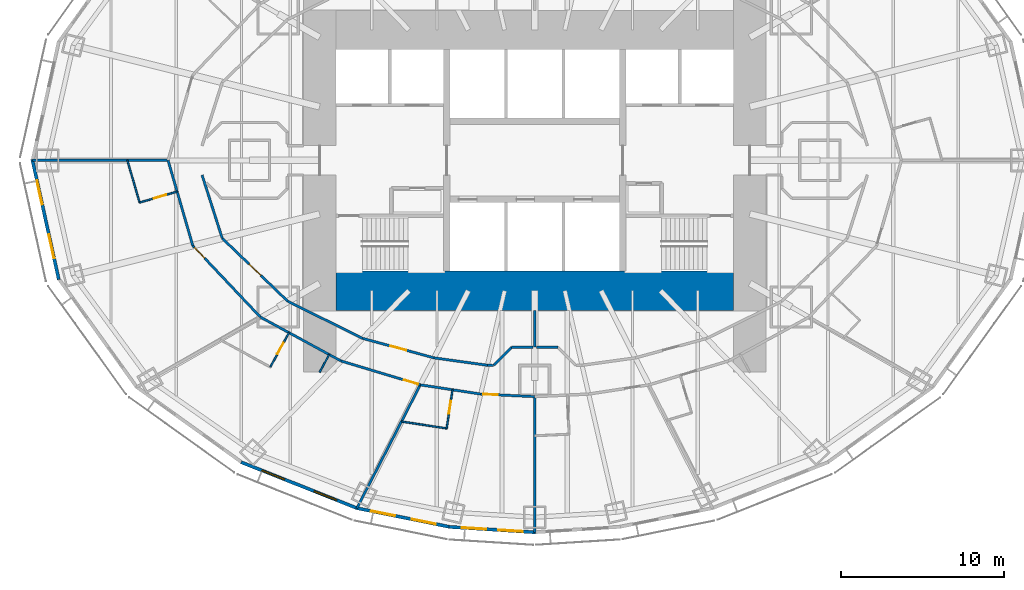
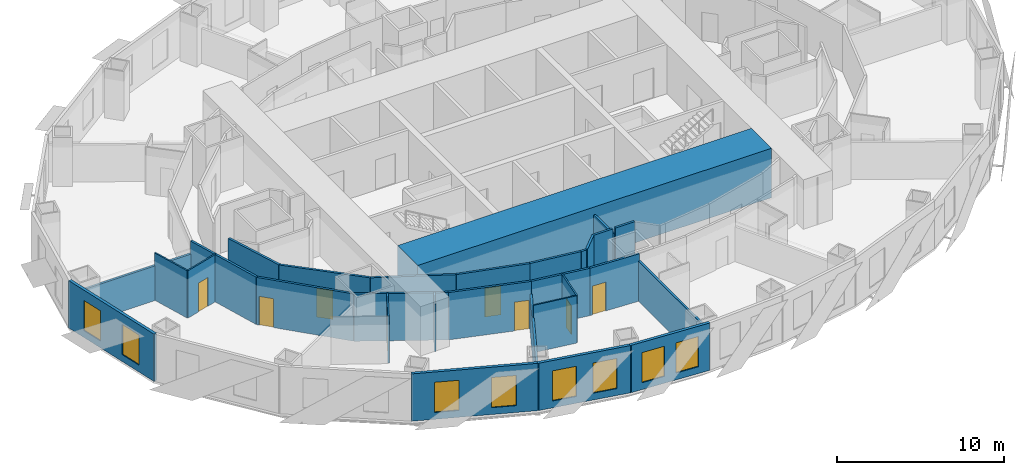
# One storey, part 5 of 15: 30 walls, 8 doors, 8 windows, 16 openings.
"""IFC4 building model written with IfcOpenShell, lengths in metres."""

from ifc_helpers import new_model, si_unit, direction, frame, frame_2d, origin, place, context, subcontext, project, spatial, rectangle, extrude, material, layer, layer_set, type_object, element, fill, save


model = new_model("IFC4")

# Units and contexts
model_context = context("Model", 3, precision=1e-05, world=origin(), true_north=direction((0.0, 1.0)))
body_context = subcontext(model_context, "Body", "Model", "MODEL_VIEW")
ifc_project = project(units=[si_unit("LENGTHUNIT", "METRE"), si_unit("AREAUNIT", "SQUARE_METRE"), si_unit("VOLUMEUNIT", "CUBIC_METRE"), si_unit("PLANEANGLEUNIT", "RADIAN"), si_unit("MASSUNIT", "GRAM", prefix="KILO")], contexts=[model_context])

# Site, building, storey
site_placement = place(None, origin())
site = spatial("IfcSite", under=ifc_project, at=site_placement, CompositionType="ELEMENT")
building_placement = place(site_placement, origin())
building = spatial("IfcBuilding", under=site, at=building_placement, Name="Lantaw Convention Tower", CompositionType="ELEMENT")
storey_placement = place(building_placement, frame((0.0, 0.0, 87.39990234375)))
storey = spatial("IfcBuildingStorey", under=building, at=storey_placement, Name="L20", CompositionType="ELEMENT", Elevation=87.39990234375)

# Walls
ifc_material_1 = material(Name="Gypsum board on steel studs", Category="steel")
ifc_layer_1 = layer(ifc_material_1, 0.14990234375)
ifc_layer_set_1 = layer_set([ifc_layer_1], Name="Back of house wall 150")
wall_type_1 = type_object("IfcWallType", Name="Back of house wall 150", PredefinedType="PARTITIONING", material=ifc_layer_set_1)
wall_1_placement = place(storey_placement, frame((0.0, -9.199951171875, 0.0), z_axis=(0.0, 0.0, 1.0), x_axis=(0.0, -1.0, 0.0)))
element("IfcWall", 1, at=wall_1_placement, inside=storey, type_object=wall_type_1, Name="Back of house wall 150", PredefinedType="PARTITIONING", context=body_context, shape_type="SweptSolid", body=[
    extrude(rectangle(XDim=2.26513671875, YDim=0.14990234375, at=frame_2d((1.132568359375, 0.0))), origin(), (0.0, 0.0, 1.0), 3.043701171875),
])
wall_2_placement = place(storey_placement, frame((0.103271484375, -11.47509765625, 0.0), z_axis=(0.0, 0.0, 1.0), x_axis=(1.0, 0.0, 0.0)))
element("IfcWall", 2, at=wall_2_placement, inside=storey, type_object=wall_type_1, Name="Back of house wall 150", PredefinedType="PARTITIONING", context=body_context, shape_type="SweptSolid", body=[
    extrude(rectangle(XDim=1.3212890625, YDim=0.14990234375, at=frame_2d((0.66064453125, 0.0))), origin(), (0.0, 0.0, 1.0), 3.4501953125),
])

# Wall, opening, door
ifc_material_2 = material(Name="Moisture resistant gypsum board on steel studs", Category="steel")
ifc_layer_2 = layer(ifc_material_2, 0.10009765625)
ifc_layer_set_2 = layer_set([ifc_layer_2], Name="Bathroom wall 100")
wall_type_2 = type_object("IfcWallType", Name="Bathroom wall 100", PredefinedType="PARTITIONING", material=ifc_layer_set_2)
wall_3_placement = place(storey_placement, frame((-21.943359375, -1.9208984375, 0.0), z_axis=(0.0, 0.0, 1.0), x_axis=(-0.960496317326, -0.278292695563, 0.0)))
wall_3 = element("IfcWall", 3, at=wall_3_placement, inside=storey, type_object=wall_type_2, Name="Bathroom wall 100", PredefinedType="PARTITIONING", context=body_context, shape_type="SweptSolid", body=[
    extrude(rectangle(XDim=2.400146484375, YDim=0.10009765625, at=frame_2d((1.2001953125, 0.0))), origin(), (0.0, 0.0, 1.0), 3.4501953125),
])
opening_1_placement = place(wall_3_placement, frame((0.699951171875, 0.0, 0.0)))
opening_1 = element("IfcOpeningElement", 4, at=opening_1_placement, cuts=wall_3, Name="Opening L20.38", PredefinedType="OPENING", context=body_context, shape_type="SweptSolid", body=[
    extrude(rectangle(XDim=0.800048828125, YDim=2.10009765625, at=frame_2d((0.39990234375, 1.050048828125))), frame((0.0, 0.06005859375, 0.0), z_axis=(0.0, -1.0, 0.0), x_axis=(1.0, 0.0, 0.0)), (0.0, 0.0, 1.0), 0.1201171875),
])
ifc_material_3 = material(Name="Timber", Category="wood")
door_type_1 = type_object("IfcDoorType", Name="Bathroom door 800", OperationType="SINGLE_SWING_LEFT", PredefinedType="DOOR", material=ifc_material_3)
door_1_placement = place(opening_1_placement, origin())
door_1 = element("IfcDoor", 5, at=door_1_placement, inside=storey, type_object=door_type_1, Name="Bathroom door", OperationType="SINGLE_SWING_LEFT", OverallHeight=2.10009765625, OverallWidth=0.800048828125, PredefinedType="DOOR", context=body_context, shape_type="SweptSolid", body=[
    extrude(rectangle(XDim=0.800048828125, YDim=2.10009765625, at=frame_2d((0.39990234375, 1.050048828125))), frame((0.0, 0.02490234375, 0.0), z_axis=(0.0, -1.0, 0.0), x_axis=(1.0, 0.0, 0.0)), (0.0, 0.0, 1.0), 0.050048828125),
])
fill(opening_1, door_1)

# Wall
wall_4_placement = place(storey_placement, frame((-24.248779296875, -2.5888671875, 0.0), z_axis=(0.0, 0.0, 1.0), x_axis=(-0.278260412958, 0.960505670249, 0.0)))
element("IfcWall", 6, at=wall_4_placement, inside=storey, type_object=wall_type_2, Name="Bathroom wall 100", PredefinedType="PARTITIONING", context=body_context, shape_type="SweptSolid", body=[
    extrude(rectangle(XDim=2.6953125, YDim=0.10009765625, at=frame_2d((1.34765625, 0.0))), origin(), (0.0, 0.0, 1.0), 3.4501953125),
])

# Wall, opening, door
wall_5_placement = place(storey_placement, frame((-15.078125, -10.57568359375, 0.0), z_axis=(0.0, 0.0, 1.0), x_axis=(-0.477832549678, -0.878450940274, 0.0)))
wall_5 = element("IfcWall", 7, at=wall_5_placement, inside=storey, type_object=wall_type_2, Name="Bathroom wall 100", PredefinedType="PARTITIONING", context=body_context, shape_type="SweptSolid", body=[
    extrude(rectangle(XDim=2.39990234375, YDim=0.10009765625, at=frame_2d((1.199951171875, 0.0))), origin(), (0.0, 0.0, 1.0), 3.4501953125),
])
opening_2_placement = place(wall_5_placement, frame((0.699951171875, 0.0, 0.0)))
opening_2 = element("IfcOpeningElement", 8, at=opening_2_placement, cuts=wall_5, Name="Opening L20.40", PredefinedType="OPENING", context=body_context, shape_type="SweptSolid", body=[
    extrude(rectangle(XDim=0.800048828125, YDim=2.10009765625, at=frame_2d((0.39990234375, 1.050048828125))), frame((0.0, 0.06005859375, 0.0), z_axis=(0.0, -1.0, 0.0), x_axis=(1.0, 0.0, 0.0)), (0.0, 0.0, 1.0), 0.1201171875),
])
door_2_placement = place(opening_2_placement, origin())
door_2 = element("IfcDoor", 9, at=door_2_placement, inside=storey, type_object=door_type_1, Name="Bathroom door", OperationType="SINGLE_SWING_LEFT", OverallHeight=2.10009765625, OverallWidth=0.800048828125, PredefinedType="DOOR", context=body_context, shape_type="SweptSolid", body=[
    extrude(rectangle(XDim=0.800048828125, YDim=2.10009765625, at=frame_2d((0.39990234375, 1.050048828125))), frame((0.0, 0.02490234375, 0.0), z_axis=(0.0, -1.0, 0.0), x_axis=(1.0, 0.0, 0.0)), (0.0, 0.0, 1.0), 0.050048828125),
])
fill(opening_2, door_2)

wall_6_placement = place(storey_placement, frame((-5.042236328125, -14.077880859375, 0.0), z_axis=(0.0, 0.0, 1.0), x_axis=(-0.150856962013, -0.988555601376, 0.0)))
wall_6 = element("IfcWall", 10, at=wall_6_placement, inside=storey, type_object=wall_type_2, Name="Bathroom wall 100", PredefinedType="PARTITIONING", context=body_context, shape_type="SweptSolid", body=[
    extrude(rectangle(XDim=2.400146484375, YDim=0.10009765625, at=frame_2d((1.2001953125, 0.0))), origin(), (0.0, 0.0, 1.0), 3.4501953125),
])
opening_3_placement = place(wall_6_placement, frame((0.699951171875, 0.0, 0.0)))
opening_3 = element("IfcOpeningElement", 11, at=opening_3_placement, cuts=wall_6, Name="Opening L20.42", PredefinedType="OPENING", context=body_context, shape_type="SweptSolid", body=[
    extrude(rectangle(XDim=0.800048828125, YDim=2.10009765625, at=frame_2d((0.39990234375, 1.050048828125))), frame((0.0, 0.06005859375, 0.0), z_axis=(0.0, -1.0, 0.0), x_axis=(1.0, 0.0, 0.0)), (0.0, 0.0, 1.0), 0.1201171875),
])
door_3_placement = place(opening_3_placement, origin())
door_3 = element("IfcDoor", 12, at=door_3_placement, inside=storey, type_object=door_type_1, Name="Bathroom door", OperationType="SINGLE_SWING_LEFT", OverallHeight=2.10009765625, OverallWidth=0.800048828125, PredefinedType="DOOR", context=body_context, shape_type="SweptSolid", body=[
    extrude(rectangle(XDim=0.800048828125, YDim=2.10009765625, at=frame_2d((0.39990234375, 1.050048828125))), frame((0.0, 0.02490234375, 0.0), z_axis=(0.0, -1.0, 0.0), x_axis=(1.0, 0.0, 0.0)), (0.0, 0.0, 1.0), 0.050048828125),
])
fill(opening_3, door_3)

# Walls
wall_7_placement = place(storey_placement, frame((-5.404296875, -16.450439453125, 0.0), z_axis=(0.0, 0.0, 1.0), x_axis=(-0.988568792086, 0.150770498819, 0.0)))
element("IfcWall", 13, at=wall_7_placement, inside=storey, type_object=wall_type_2, Name="Bathroom wall 100", PredefinedType="PARTITIONING", context=body_context, shape_type="SweptSolid", body=[
    extrude(rectangle(XDim=2.794921875, YDim=0.10009765625, at=frame_2d((1.3974609375, 0.0))), origin(), (0.0, 0.0, 1.0), 3.4501953125),
])
ifc_material_4 = material(Name="Concrete C60/75", Category="concrete")
ifc_layer_3 = layer(ifc_material_4, 2.39990234375)
ifc_layer_set_3 = layer_set([ifc_layer_3], Name="Core wall 2400")
wall_type_3 = type_object("IfcWallType", Name="Core wall 2400", PredefinedType="SHEAR", material=ifc_layer_set_3)
wall_8_placement = place(storey_placement, frame((-12.199951171875, -8.0, 0.0), z_axis=(0.0, 0.0, 1.0), x_axis=(1.0, 0.0, 0.0)))
element("IfcWall", 14, at=wall_8_placement, inside=storey, type_object=wall_type_3, Name="Core wall S", PredefinedType="SHEAR", context=body_context, shape_type="SweptSolid", body=[
    extrude(rectangle(XDim=24.39990234375, YDim=2.39990234375, at=frame_2d((12.199951171875, 0.0))), origin(), (0.0, 0.0, 1.0), 3.60009765625),
])
ifc_material_5 = material(Name="Gypsum board on steel studs, fire rated", Category="steel")
ifc_layer_4 = layer(ifc_material_5, 0.14990234375)
ifc_layer_set_4 = layer_set([ifc_layer_4], Name="Corridor wall 150 EI 60")
wall_type_4 = type_object("IfcWallType", Name="Corridor wall 150 EI 60", PredefinedType="PARTITIONING", material=ifc_layer_set_4)
wall_9_placement = place(storey_placement, frame((-22.5, 0.0, 0.0), z_axis=(0.0, 0.0, 1.0), x_axis=(0.278247435376, -0.960509429785, 0.0)))
element("IfcWall", 15, at=wall_9_placement, inside=storey, type_object=wall_type_4, Name="Corridor wall 150", PredefinedType="PARTITIONING", context=body_context, shape_type="SweptSolid", body=[
    extrude(rectangle(XDim=5.447021484375, YDim=0.14990234375, at=frame_2d((2.7236328125, 0.0))), origin(), (0.0, 0.0, 1.0), 3.4501953125),
])

# Wall, opening, door
wall_10_placement = place(storey_placement, frame((-20.984375, -5.23193359375, 0.0), z_axis=(0.0, 0.0, 1.0), x_axis=(0.687062608696, -0.726598218916, 0.0)))
wall_10 = element("IfcWall", 16, at=wall_10_placement, inside=storey, type_object=wall_type_4, Name="Corridor wall 150", PredefinedType="PARTITIONING", context=body_context, shape_type="SweptSolid", body=[
    extrude(rectangle(XDim=6.039306640625, YDim=0.14990234375, at=frame_2d((3.01953125, 0.0))), origin(), (0.0, 0.0, 1.0), 3.4501953125),
])
opening_4_placement = place(wall_10_placement, frame((0.14990234375, 0.0, 0.0)))
opening_4 = element("IfcOpeningElement", 17, at=opening_4_placement, cuts=wall_10, Name="Opening L20.39", PredefinedType="OPENING", context=body_context, shape_type="SweptSolid", body=[
    extrude(rectangle(XDim=0.89990234375, YDim=2.10009765625, at=frame_2d((0.449951171875, 1.050048828125))), frame((0.0, 0.0849609375, 0.0), z_axis=(0.0, -1.0, 0.0), x_axis=(1.0, 0.0, 0.0)), (0.0, 0.0, 1.0), 0.169921875),
])
ifc_material_6 = material(Name="Steel, fire rated", Category="steel")
door_type_2 = type_object("IfcDoorType", Name="Guest room entrance door FD30S", OperationType="SINGLE_SWING_LEFT", PredefinedType="DOOR", material=ifc_material_6)
door_4_placement = place(opening_4_placement, origin())
door_4 = element("IfcDoor", 18, at=door_4_placement, inside=storey, type_object=door_type_2, Name="Junior suite entrance door", OperationType="SINGLE_SWING_LEFT", OverallHeight=2.10009765625, OverallWidth=0.89990234375, PredefinedType="DOOR", context=body_context, shape_type="SweptSolid", body=[
    extrude(rectangle(XDim=0.89990234375, YDim=2.10009765625, at=frame_2d((0.449951171875, 1.050048828125))), frame((0.0, 0.02490234375, 0.0), z_axis=(0.0, -1.0, 0.0), x_axis=(1.0, 0.0, 0.0)), (0.0, 0.0, 1.0), 0.050048828125),
])
fill(opening_4, door_4)

# Wall
wall_11_placement = place(storey_placement, frame((-16.8349609375, -9.6201171875, 0.0), z_axis=(0.0, 0.0, 1.0), x_axis=(0.878450059298, -0.477834169267, 0.0)))
element("IfcWall", 19, at=wall_11_placement, inside=storey, type_object=wall_type_4, Name="Corridor wall 150", PredefinedType="PARTITIONING", context=body_context, shape_type="SweptSolid", body=[
    extrude(rectangle(XDim=5.630859375, YDim=0.14990234375, at=frame_2d((2.8154296875, 0.0))), origin(), (0.0, 0.0, 1.0), 3.4501953125),
])

# Wall, opening, door
wall_12_placement = place(storey_placement, frame((-11.888427734375, -12.310791015625, 0.0), z_axis=(0.0, 0.0, 1.0), x_axis=(0.957564241242, -0.288219922793, 0.0)))
wall_12 = element("IfcWall", 20, at=wall_12_placement, inside=storey, type_object=wall_type_4, Name="Corridor wall 150", PredefinedType="PARTITIONING", context=body_context, shape_type="SweptSolid", body=[
    extrude(rectangle(XDim=5.0849609375, YDim=0.14990234375, at=frame_2d((2.54248046875, 0.0))), origin(), (0.0, 0.0, 1.0), 3.4501953125),
])
opening_5_placement = place(wall_12_placement, frame((4.03466796875, 0.0, 0.0)))
opening_5 = element("IfcOpeningElement", 21, at=opening_5_placement, cuts=wall_12, Name="Opening L20.41", PredefinedType="OPENING", context=body_context, shape_type="SweptSolid", body=[
    extrude(rectangle(XDim=0.89990234375, YDim=2.10009765625, at=frame_2d((0.449951171875, 1.050048828125))), frame((0.0, 0.0849609375, 0.0), z_axis=(0.0, -1.0, 0.0), x_axis=(1.0, 0.0, 0.0)), (0.0, 0.0, 1.0), 0.169921875),
])
door_5_placement = place(opening_5_placement, origin())
door_5 = element("IfcDoor", 22, at=door_5_placement, inside=storey, type_object=door_type_2, Name="Junior suite entrance door", OperationType="SINGLE_SWING_LEFT", OverallHeight=2.10009765625, OverallWidth=0.89990234375, PredefinedType="DOOR", context=body_context, shape_type="SweptSolid", body=[
    extrude(rectangle(XDim=0.89990234375, YDim=2.10009765625, at=frame_2d((0.449951171875, 1.050048828125))), frame((0.0, 0.02490234375, 0.0), z_axis=(0.0, -1.0, 0.0), x_axis=(1.0, 0.0, 0.0)), (0.0, 0.0, 1.0), 0.050048828125),
])
fill(opening_5, door_5)

# Wall
wall_13_placement = place(storey_placement, frame((-7.019287109375, -13.7763671875, 0.0), z_axis=(0.0, 0.0, 1.0), x_axis=(0.988564270062, -0.150800145746, 0.0)))
element("IfcWall", 23, at=wall_13_placement, inside=storey, type_object=wall_type_4, Name="Corridor wall 150", PredefinedType="PARTITIONING", context=body_context, shape_type="SweptSolid", body=[
    extrude(rectangle(XDim=3.751220703125, YDim=0.14990234375, at=frame_2d((1.87548828125, 0.0))), origin(), (0.0, 0.0, 1.0), 3.4501953125),
])

# Wall, opening, door
wall_14_placement = place(storey_placement, frame((-3.31103515625, -14.342041015625, 0.0), z_axis=(0.0, 0.0, 1.0), x_axis=(0.998863968075, -0.047652631422, 0.0)))
wall_14 = element("IfcWall", 24, at=wall_14_placement, inside=storey, type_object=wall_type_4, Name="Corridor wall 150", PredefinedType="PARTITIONING", context=body_context, shape_type="SweptSolid", body=[
    extrude(rectangle(XDim=3.314697265625, YDim=0.14990234375, at=frame_2d((1.6572265625, 0.0))), origin(), (0.0, 0.0, 1.0), 3.4501953125),
])
opening_6_placement = place(wall_14_placement, frame((0.14990234375, 0.0, 0.0)))
opening_6 = element("IfcOpeningElement", 25, at=opening_6_placement, cuts=wall_14, Name="Opening L20.43", PredefinedType="OPENING", context=body_context, shape_type="SweptSolid", body=[
    extrude(rectangle(XDim=0.89990234375, YDim=2.10009765625, at=frame_2d((0.449951171875, 1.050048828125))), frame((0.0, 0.0849609375, 0.0), z_axis=(0.0, -1.0, 0.0), x_axis=(1.0, 0.0, 0.0)), (0.0, 0.0, 1.0), 0.169921875),
])
door_6_placement = place(opening_6_placement, origin())
door_6 = element("IfcDoor", 26, at=door_6_placement, inside=storey, type_object=door_type_2, Name="Junior suite entrance door", OperationType="SINGLE_SWING_LEFT", OverallHeight=2.10009765625, OverallWidth=0.89990234375, PredefinedType="DOOR", context=body_context, shape_type="SweptSolid", body=[
    extrude(rectangle(XDim=0.89990234375, YDim=2.10009765625, at=frame_2d((0.449951171875, 1.050048828125))), frame((0.0, 0.02490234375, 0.0), z_axis=(0.0, -1.0, 0.0), x_axis=(1.0, 0.0, 0.0)), (0.0, 0.0, 1.0), 0.050048828125),
])
fill(opening_6, door_6)

# Wall
wall_15_placement = place(storey_placement, frame((-20.413330078125, -0.89990234375, 0.0), z_axis=(0.0, 0.0, 1.0), x_axis=(0.303505448228, -0.952829702988, 0.0)))
element("IfcWall", 27, at=wall_15_placement, inside=storey, type_object=wall_type_4, Name="Corridor wall 150", PredefinedType="PARTITIONING", context=body_context, shape_type="SweptSolid", body=[
    extrude(rectangle(XDim=4.073486328125, YDim=0.14990234375, at=frame_2d((2.03662109375, 0.0))), origin(), (0.0, 0.0, 1.0), 3.4501953125),
])

# Wall, opening, door
wall_16_placement = place(storey_placement, frame((-19.177001953125, -4.78125, 0.0), z_axis=(0.0, 0.0, 1.0), x_axis=(0.720837261072, -0.693104352209, 0.0)))
wall_16 = element("IfcWall", 28, at=wall_16_placement, inside=storey, type_object=wall_type_4, Name="Corridor wall 150", PredefinedType="PARTITIONING", context=body_context, shape_type="SweptSolid", body=[
    extrude(rectangle(XDim=5.590087890625, YDim=0.14990234375, at=frame_2d((2.794921875, 0.0))), origin(), (0.0, 0.0, 1.0), 3.4501953125),
])
opening_7_placement = place(wall_16_placement, frame((2.294921875, 0.0, 0.0)))
opening_7 = element("IfcOpeningElement", 29, at=opening_7_placement, cuts=wall_16, Name="Opening L20.23", PredefinedType="OPENING", context=body_context, shape_type="SweptSolid", body=[
    extrude(rectangle(XDim=1.0, YDim=2.10009765625, at=frame_2d((0.5, 1.050048828125))), frame((0.0, 0.0849609375, 0.0), z_axis=(0.0, -1.0, 0.0), x_axis=(1.0, 0.0, 0.0)), (0.0, 0.0, 1.0), 0.169921875),
])
door_type_3 = type_object("IfcDoorType", Name="Service door 1000 FD30", OperationType="SINGLE_SWING_LEFT", PredefinedType="DOOR", material=ifc_material_6)
door_7_placement = place(opening_7_placement, origin())
door_7 = element("IfcDoor", 30, at=door_7_placement, inside=storey, type_object=door_type_3, Name="Staff room door", OperationType="SINGLE_SWING_LEFT", OverallHeight=2.10009765625, OverallWidth=1.0, PredefinedType="DOOR", context=body_context, shape_type="SweptSolid", body=[
    extrude(rectangle(XDim=1.0, YDim=2.10009765625, at=frame_2d((0.5, 1.050048828125))), frame((0.0, 0.02490234375, 0.0), z_axis=(0.0, -1.0, 0.0), x_axis=(1.0, 0.0, 0.0)), (0.0, 0.0, 1.0), 0.050048828125),
])
fill(opening_7, door_7)

# Wall
wall_17_placement = place(storey_placement, frame((-15.1474609375, -8.65576171875, 0.0), z_axis=(0.0, 0.0, 1.0), x_axis=(0.89656943448, -0.442903205177, 0.0)))
element("IfcWall", 31, at=wall_17_placement, inside=storey, type_object=wall_type_4, Name="Corridor wall 150", PredefinedType="PARTITIONING", context=body_context, shape_type="SweptSolid", body=[
    extrude(rectangle(XDim=5.12646484375, YDim=0.14990234375, at=frame_2d((2.563232421875, 0.0))), origin(), (0.0, 0.0, 1.0), 3.4501953125),
])

# Wall, opening, door
wall_18_placement = place(storey_placement, frame((-10.55126953125, -10.92626953125, 0.0), z_axis=(0.0, 0.0, 1.0), x_axis=(0.964644466646, -0.263554648923, 0.0)))
wall_18 = element("IfcWall", 32, at=wall_18_placement, inside=storey, type_object=wall_type_4, Name="Corridor wall 150", PredefinedType="PARTITIONING", context=body_context, shape_type="SweptSolid", body=[
    extrude(rectangle(XDim=4.535400390625, YDim=0.14990234375, at=frame_2d((2.267578125, 0.0))), origin(), (0.0, 0.0, 1.0), 3.4501953125),
])
opening_8_placement = place(wall_18_placement, frame((1.767578125, 0.0, 0.0)))
opening_8 = element("IfcOpeningElement", 33, at=opening_8_placement, cuts=wall_18, Name="Opening L20.22", PredefinedType="OPENING", context=body_context, shape_type="SweptSolid", body=[
    extrude(rectangle(XDim=1.0, YDim=2.10009765625, at=frame_2d((0.5, 1.050048828125))), frame((0.0, 0.0849609375, 0.0), z_axis=(0.0, -1.0, 0.0), x_axis=(1.0, 0.0, 0.0)), (0.0, 0.0, 1.0), 0.169921875),
])
door_8_placement = place(opening_8_placement, origin())
door_8 = element("IfcDoor", 34, at=door_8_placement, inside=storey, type_object=door_type_3, Name="Staff room door", OperationType="SINGLE_SWING_LEFT", OverallHeight=2.10009765625, OverallWidth=1.0, PredefinedType="DOOR", context=body_context, shape_type="SweptSolid", body=[
    extrude(rectangle(XDim=1.0, YDim=2.10009765625, at=frame_2d((0.5, 1.050048828125))), frame((0.0, 0.02490234375, 0.0), z_axis=(0.0, -1.0, 0.0), x_axis=(1.0, 0.0, 0.0)), (0.0, 0.0, 1.0), 0.050048828125),
])
fill(opening_8, door_8)

# Walls
wall_19_placement = place(storey_placement, frame((-6.17626953125, -12.12158203125, 0.0), z_axis=(0.0, 0.0, 1.0), x_axis=(0.990563451353, -0.137054911782, 0.0)))
element("IfcWall", 35, at=wall_19_placement, inside=storey, type_object=wall_type_4, Name="Corridor wall 150", PredefinedType="PARTITIONING", context=body_context, shape_type="SweptSolid", body=[
    extrude(rectangle(XDim=3.304443359375, YDim=0.14990234375, at=frame_2d((1.65234375, 0.0))), origin(), (0.0, 0.0, 1.0), 3.4501953125),
])
wall_20_placement = place(storey_placement, frame((-2.903076171875, -12.574462890625, 0.0), z_axis=(0.0, 0.0, 1.0), x_axis=(0.999061181733, -0.04332153223, 0.0)))
element("IfcWall", 36, at=wall_20_placement, inside=storey, type_object=wall_type_4, Name="Corridor wall 150", PredefinedType="PARTITIONING", context=body_context, shape_type="SweptSolid", body=[
    extrude(rectangle(XDim=0.3662109375, YDim=0.14990234375, at=frame_2d((0.18310546875, 0.0))), origin(), (0.0, 0.0, 1.0), 3.4501953125),
])
wall_21_placement = place(storey_placement, frame((-2.50634765625, -12.57373046875, 0.0), z_axis=(0.0, 0.0, 1.0), x_axis=(0.701622806479, 0.712548550927, 0.0)))
element("IfcWall", 37, at=wall_21_placement, inside=storey, type_object=wall_type_4, Name="Corridor wall 150", PredefinedType="PARTITIONING", context=body_context, shape_type="SweptSolid", body=[
    extrude(rectangle(XDim=1.541748046875, YDim=0.14990234375, at=frame_2d((0.77099609375, 0.0))), origin(), (0.0, 0.0, 1.0), 3.4501953125),
])
wall_22_placement = place(storey_placement, frame((-1.424560546875, -11.47509765625, 0.0), z_axis=(0.0, 0.0, 1.0), x_axis=(1.0, 0.0, 0.0)))
element("IfcWall", 38, at=wall_22_placement, inside=storey, type_object=wall_type_4, Name="Corridor wall 150", PredefinedType="PARTITIONING", context=body_context, shape_type="SweptSolid", body=[
    extrude(rectangle(XDim=1.3212890625, YDim=0.14990234375, at=frame_2d((0.66064453125, 0.0))), origin(), (0.0, 0.0, 1.0), 3.4501953125),
])

# Wall, openings, windows
ifc_material_7 = material(Name="Insulated aluminium panel on steel frame", Category="steel")
ifc_layer_5 = layer(ifc_material_7, 0.199951171875)
ifc_layer_set_5 = layer_set([ifc_layer_5], Name="External wall 200")
wall_type_5 = type_object("IfcWallType", Name="External wall 200", PredefinedType="SOLIDWALL", material=ifc_layer_set_5)
wall_23_placement = place(storey_placement, frame((-30.83544921875, 0.06689453125, 0.0), z_axis=(0.0, 0.0, 1.0), x_axis=(0.215238065514, -0.976561608478, 0.0)))
wall_23 = element("IfcWall", 39, at=wall_23_placement, inside=storey, type_object=wall_type_5, Name="Facade panel wall", PredefinedType="SOLIDWALL", context=body_context, shape_type="SweptSolid", body=[
    extrude(rectangle(XDim=7.562255859375, YDim=0.199951171875, at=frame_2d((3.78125, 0.0))), origin(), (0.0, 0.0, 1.0), 3.4501953125),
])
opening_9_placement = place(wall_23_placement, frame((1.340576171875, 0.0, 0.5)))
opening_9 = element("IfcOpeningElement", 40, at=opening_9_placement, cuts=wall_23, Name="Opening W2", PredefinedType="OPENING", context=body_context, shape_type="SweptSolid", body=[
    extrude(rectangle(XDim=1.5, YDim=2.199951171875, at=frame_2d((0.75, 1.10009765625))), frame((0.0, 0.10986328125, 0.0), z_axis=(0.0, -1.0, 0.0), x_axis=(1.0, 0.0, 0.0)), (0.0, 0.0, 1.0), 0.219970703125),
])
opening_10_placement = place(wall_23_placement, frame((4.7216796875, 0.0, 0.5)))
opening_10 = element("IfcOpeningElement", 41, at=opening_10_placement, cuts=wall_23, Name="Opening W2", PredefinedType="OPENING", context=body_context, shape_type="SweptSolid", body=[
    extrude(rectangle(XDim=1.5, YDim=2.199951171875, at=frame_2d((0.75, 1.10009765625))), frame((0.0, 0.10986328125, 0.0), z_axis=(0.0, -1.0, 0.0), x_axis=(1.0, 0.0, 0.0)), (0.0, 0.0, 1.0), 0.219970703125),
])
ifc_material_8 = material(Name="Aluminium frame, clear insulating glass", Category="aluminium")
window_type = type_object("IfcWindowType", Name="Suite window 1500x2200", PartitioningType="SINGLE_PANEL", PredefinedType="WINDOW", material=ifc_material_8)
window_1_placement = place(opening_9_placement, origin())
window_1 = element("IfcWindow", 42, at=window_1_placement, inside=storey, type_object=window_type, Name="Guest room window", OverallHeight=2.199951171875, OverallWidth=1.5, PartitioningType="SINGLE_PANEL", PredefinedType="WINDOW", context=body_context, shape_type="SweptSolid", body=[
    extrude(rectangle(XDim=1.5, YDim=2.199951171875, at=frame_2d((0.75, 1.10009765625))), frame((0.0, 0.030029296875, 0.0), z_axis=(0.0, -1.0, 0.0), x_axis=(1.0, 0.0, 0.0)), (0.0, 0.0, 1.0), 0.06005859375),
])
fill(opening_9, window_1)
window_2_placement = place(opening_10_placement, origin())
window_2 = element("IfcWindow", 43, at=window_2_placement, inside=storey, type_object=window_type, Name="Guest room window", OverallHeight=2.199951171875, OverallWidth=1.5, PartitioningType="SINGLE_PANEL", PredefinedType="WINDOW", context=body_context, shape_type="SweptSolid", body=[
    extrude(rectangle(XDim=1.5, YDim=2.199951171875, at=frame_2d((0.75, 1.10009765625))), frame((0.0, 0.030029296875, 0.0), z_axis=(0.0, -1.0, 0.0), x_axis=(1.0, 0.0, 0.0)), (0.0, 0.0, 1.0), 0.06005859375),
])
fill(opening_10, window_2)

wall_24_placement = place(storey_placement, frame((-18.018310546875, -18.522705078125, 0.0), z_axis=(0.0, 0.0, 1.0), x_axis=(0.929358351251, -0.369178892895, 0.0)))
wall_24 = element("IfcWall", 44, at=wall_24_placement, inside=storey, type_object=wall_type_5, Name="Facade panel wall", PredefinedType="SOLIDWALL", context=body_context, shape_type="SweptSolid", body=[
    extrude(rectangle(XDim=7.6923828125, YDim=0.199951171875, at=frame_2d((3.84619140625, 0.0))), origin(), (0.0, 0.0, 1.0), 3.4501953125),
])
opening_11_placement = place(wall_24_placement, frame((1.373046875, 0.0, 0.5)))
opening_11 = element("IfcOpeningElement", 45, at=opening_11_placement, cuts=wall_24, Name="Opening W2", PredefinedType="OPENING", context=body_context, shape_type="SweptSolid", body=[
    extrude(rectangle(XDim=1.5, YDim=2.199951171875, at=frame_2d((0.75, 1.10009765625))), frame((0.0, 0.10986328125, 0.0), z_axis=(0.0, -1.0, 0.0), x_axis=(1.0, 0.0, 0.0)), (0.0, 0.0, 1.0), 0.219970703125),
])
opening_12_placement = place(wall_24_placement, frame((4.819091796875, 0.0, 0.5)))
opening_12 = element("IfcOpeningElement", 46, at=opening_12_placement, cuts=wall_24, Name="Opening W2", PredefinedType="OPENING", context=body_context, shape_type="SweptSolid", body=[
    extrude(rectangle(XDim=1.5, YDim=2.199951171875, at=frame_2d((0.75, 1.10009765625))), frame((0.0, 0.10986328125, 0.0), z_axis=(0.0, -1.0, 0.0), x_axis=(1.0, 0.0, 0.0)), (0.0, 0.0, 1.0), 0.219970703125),
])
window_3_placement = place(opening_11_placement, origin())
window_3 = element("IfcWindow", 47, at=window_3_placement, inside=storey, type_object=window_type, Name="Guest room window", OverallHeight=2.199951171875, OverallWidth=1.5, PartitioningType="SINGLE_PANEL", PredefinedType="WINDOW", context=body_context, shape_type="SweptSolid", body=[
    extrude(rectangle(XDim=1.5, YDim=2.199951171875, at=frame_2d((0.75, 1.10009765625))), frame((0.0, 0.030029296875, 0.0), z_axis=(0.0, -1.0, 0.0), x_axis=(1.0, 0.0, 0.0)), (0.0, 0.0, 1.0), 0.06005859375),
])
fill(opening_11, window_3)
window_4_placement = place(opening_12_placement, origin())
window_4 = element("IfcWindow", 48, at=window_4_placement, inside=storey, type_object=window_type, Name="Guest room window", OverallHeight=2.199951171875, OverallWidth=1.5, PartitioningType="SINGLE_PANEL", PredefinedType="WINDOW", context=body_context, shape_type="SweptSolid", body=[
    extrude(rectangle(XDim=1.5, YDim=2.199951171875, at=frame_2d((0.75, 1.10009765625))), frame((0.0, 0.030029296875, 0.0), z_axis=(0.0, -1.0, 0.0), x_axis=(1.0, 0.0, 0.0)), (0.0, 0.0, 1.0), 0.06005859375),
])
fill(opening_12, window_4)

wall_25_placement = place(storey_placement, frame((-10.956787109375, -21.336669921875, 0.0), z_axis=(0.0, 0.0, 1.0), x_axis=(0.980251657452, -0.197754110105, 0.0)))
wall_25 = element("IfcWall", 49, at=wall_25_placement, inside=storey, type_object=wall_type_5, Name="Facade panel wall", PredefinedType="SOLIDWALL", context=body_context, shape_type="SweptSolid", body=[
    extrude(rectangle(XDim=5.90380859375, YDim=0.199951171875, at=frame_2d((2.951904296875, 0.0))), origin(), (0.0, 0.0, 1.0), 3.4501953125),
])
opening_13_placement = place(wall_25_placement, frame((0.92578125, 0.0, 0.5)))
opening_13 = element("IfcOpeningElement", 50, at=opening_13_placement, cuts=wall_25, Name="Opening W2", PredefinedType="OPENING", context=body_context, shape_type="SweptSolid", body=[
    extrude(rectangle(XDim=1.5, YDim=2.199951171875, at=frame_2d((0.75, 1.10009765625))), frame((0.0, 0.10986328125, 0.0), z_axis=(0.0, -1.0, 0.0), x_axis=(1.0, 0.0, 0.0)), (0.0, 0.0, 1.0), 0.219970703125),
])
opening_14_placement = place(wall_25_placement, frame((3.477783203125, 0.0, 0.5)))
opening_14 = element("IfcOpeningElement", 51, at=opening_14_placement, cuts=wall_25, Name="Opening W2", PredefinedType="OPENING", context=body_context, shape_type="SweptSolid", body=[
    extrude(rectangle(XDim=1.5, YDim=2.199951171875, at=frame_2d((0.75, 1.10009765625))), frame((0.0, 0.10986328125, 0.0), z_axis=(0.0, -1.0, 0.0), x_axis=(1.0, 0.0, 0.0)), (0.0, 0.0, 1.0), 0.219970703125),
])
window_5_placement = place(opening_13_placement, origin())
window_5 = element("IfcWindow", 52, at=window_5_placement, inside=storey, type_object=window_type, Name="Guest room window", OverallHeight=2.199951171875, OverallWidth=1.5, PartitioningType="SINGLE_PANEL", PredefinedType="WINDOW", context=body_context, shape_type="SweptSolid", body=[
    extrude(rectangle(XDim=1.5, YDim=2.199951171875, at=frame_2d((0.75, 1.10009765625))), frame((0.0, 0.030029296875, 0.0), z_axis=(0.0, -1.0, 0.0), x_axis=(1.0, 0.0, 0.0)), (0.0, 0.0, 1.0), 0.06005859375),
])
fill(opening_13, window_5)
window_6_placement = place(opening_14_placement, origin())
window_6 = element("IfcWindow", 53, at=window_6_placement, inside=storey, type_object=window_type, Name="Guest room window", OverallHeight=2.199951171875, OverallWidth=1.5, PartitioningType="SINGLE_PANEL", PredefinedType="WINDOW", context=body_context, shape_type="SweptSolid", body=[
    extrude(rectangle(XDim=1.5, YDim=2.199951171875, at=frame_2d((0.75, 1.10009765625))), frame((0.0, 0.030029296875, 0.0), z_axis=(0.0, -1.0, 0.0), x_axis=(1.0, 0.0, 0.0)), (0.0, 0.0, 1.0), 0.06005859375),
])
fill(opening_14, window_6)

wall_26_placement = place(storey_placement, frame((-5.252685546875, -22.493408203125, 0.0), z_axis=(0.0, 0.0, 1.0), x_axis=(0.998018582375, -0.062919863585, 0.0)))
wall_26 = element("IfcWall", 54, at=wall_26_placement, inside=storey, type_object=wall_type_5, Name="Facade panel wall", PredefinedType="SOLIDWALL", context=body_context, shape_type="SweptSolid", body=[
    extrude(rectangle(XDim=5.30419921875, YDim=0.199951171875, at=frame_2d((2.652099609375, 0.0))), origin(), (0.0, 0.0, 1.0), 3.4501953125),
])
opening_15_placement = place(wall_26_placement, frame((0.77587890625, 0.0, 0.5)))
opening_15 = element("IfcOpeningElement", 55, at=opening_15_placement, cuts=wall_26, Name="Opening W2", PredefinedType="OPENING", context=body_context, shape_type="SweptSolid", body=[
    extrude(rectangle(XDim=1.5, YDim=2.199951171875, at=frame_2d((0.75, 1.10009765625))), frame((0.0, 0.10986328125, 0.0), z_axis=(0.0, -1.0, 0.0), x_axis=(1.0, 0.0, 0.0)), (0.0, 0.0, 1.0), 0.219970703125),
])
opening_16_placement = place(wall_26_placement, frame((3.028076171875, 0.0, 0.5)))
opening_16 = element("IfcOpeningElement", 56, at=opening_16_placement, cuts=wall_26, Name="Opening W2", PredefinedType="OPENING", context=body_context, shape_type="SweptSolid", body=[
    extrude(rectangle(XDim=1.5, YDim=2.199951171875, at=frame_2d((0.75, 1.10009765625))), frame((0.0, 0.10986328125, 0.0), z_axis=(0.0, -1.0, 0.0), x_axis=(1.0, 0.0, 0.0)), (0.0, 0.0, 1.0), 0.219970703125),
])
window_7_placement = place(opening_15_placement, origin())
window_7 = element("IfcWindow", 57, at=window_7_placement, inside=storey, type_object=window_type, Name="Guest room window", OverallHeight=2.199951171875, OverallWidth=1.5, PartitioningType="SINGLE_PANEL", PredefinedType="WINDOW", context=body_context, shape_type="SweptSolid", body=[
    extrude(rectangle(XDim=1.5, YDim=2.199951171875, at=frame_2d((0.75, 1.10009765625))), frame((0.0, 0.030029296875, 0.0), z_axis=(0.0, -1.0, 0.0), x_axis=(1.0, 0.0, 0.0)), (0.0, 0.0, 1.0), 0.06005859375),
])
fill(opening_15, window_7)
window_8_placement = place(opening_16_placement, origin())
window_8 = element("IfcWindow", 58, at=window_8_placement, inside=storey, type_object=window_type, Name="Guest room window", OverallHeight=2.199951171875, OverallWidth=1.5, PartitioningType="SINGLE_PANEL", PredefinedType="WINDOW", context=body_context, shape_type="SweptSolid", body=[
    extrude(rectangle(XDim=1.5, YDim=2.199951171875, at=frame_2d((0.75, 1.10009765625))), frame((0.0, 0.030029296875, 0.0), z_axis=(0.0, -1.0, 0.0), x_axis=(1.0, 0.0, 0.0)), (0.0, 0.0, 1.0), 0.06005859375),
])
fill(opening_16, window_8)

# Walls
ifc_material_9 = material(Name="Gypsum board on steel studs, acoustic", Category="steel")
ifc_layer_6 = layer(ifc_material_9, 0.14990234375)
ifc_layer_set_6 = layer_set([ifc_layer_6], Name="Guest room party wall 150")
wall_type_6 = type_object("IfcWallType", Name="Guest room party wall 150", PredefinedType="PARTITIONING", material=ifc_layer_set_6)
wall_27_placement = place(storey_placement, frame((-30.82080078125, 0.0, 0.0), z_axis=(0.0, 0.0, 1.0), x_axis=(1.0, 0.0, 0.0)))
element("IfcWall", 59, at=wall_27_placement, inside=storey, type_object=wall_type_6, Name="Guest room party wall 150", PredefinedType="PARTITIONING", context=body_context, shape_type="SweptSolid", body=[
    extrude(rectangle(XDim=8.32080078125, YDim=0.14990234375, at=frame_2d((4.160400390625, 0.0))), origin(), (0.0, 0.0, 1.0), 2.528076171875),
])
wall_28_placement = place(storey_placement, frame((-10.911865234375, -21.345703125, 0.0), z_axis=(0.0, 0.0, 1.0), x_axis=(0.457327273085, 0.889298468059, 0.0)))
element("IfcWall", 60, at=wall_28_placement, inside=storey, type_object=wall_type_6, Name="Guest room party wall 150", PredefinedType="PARTITIONING", context=body_context, shape_type="SweptSolid", body=[
    extrude(rectangle(XDim=8.511474609375, YDim=0.14990234375, at=frame_2d((4.255859375, 0.0))), origin(), (0.0, 0.0, 1.0), 2.528076171875),
])
wall_29_placement = place(storey_placement, frame((0.0, -22.82470703125, 0.0), z_axis=(0.0, 0.0, 1.0), x_axis=(0.0, 1.0, 0.0)))
element("IfcWall", 61, at=wall_29_placement, inside=storey, type_object=wall_type_6, Name="Guest room party wall 150", PredefinedType="PARTITIONING", context=body_context, shape_type="SweptSolid", body=[
    extrude(rectangle(XDim=8.32470703125, YDim=0.14990234375, at=frame_2d((4.162353515625, 0.0))), origin(), (0.0, 0.0, 1.0), 2.92431640625),
])
ifc_layer_7 = layer(ifc_material_9, 0.10009765625)
ifc_layer_set_7 = layer_set([ifc_layer_7], Name="Office partition 100")
wall_type_7 = type_object("IfcWallType", Name="Office partition 100", PredefinedType="PARTITIONING", material=ifc_layer_set_7)
wall_30_placement = place(storey_placement, frame((-13.199951171875, -13.0, 0.0), z_axis=(0.0, 0.0, 1.0), x_axis=(0.477852414256, 0.878440134665, 0.0)))
element("IfcWall", 62, at=wall_30_placement, inside=storey, type_object=wall_type_7, Name="Office partition 100", PredefinedType="PARTITIONING", context=body_context, shape_type="SweptSolid", body=[
    extrude(rectangle(XDim=1.232421875, YDim=0.10009765625, at=frame_2d((0.6162109375, 0.0))), origin(), (0.0, 0.0, 1.0), 3.4501953125),
])

save(model, "model.ifc")
